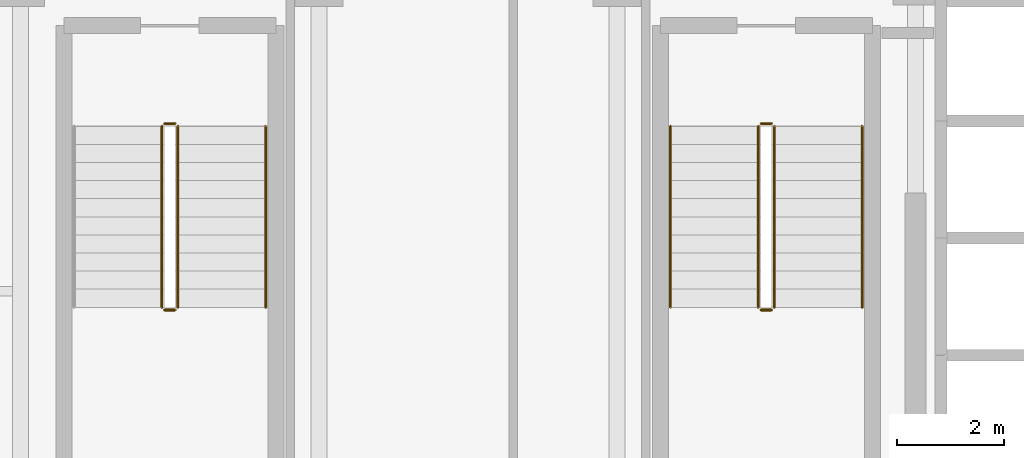
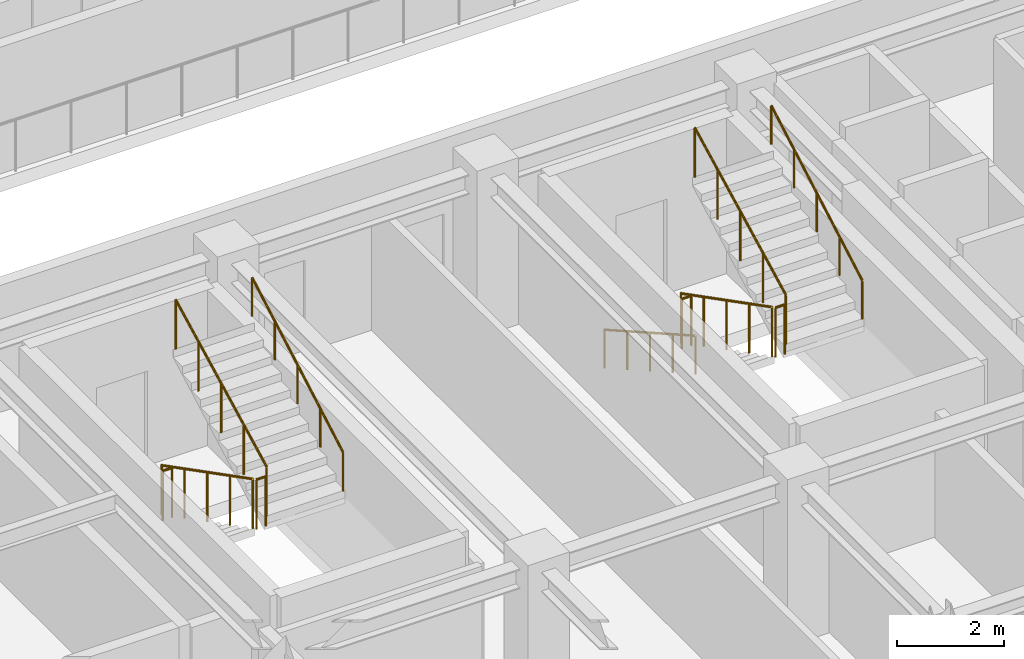
# One storey, part 10 of 14: 11 railings.
"""IFC4 building model written with IfcOpenShell, lengths in metres."""

from ifc_helpers import new_model, si_unit, direction, frame, origin, origin_2d, place, context, subcontext, project, spatial, circle, extrude, material, type_object, element, save


model = new_model("IFC4")

# Units and contexts
model_context = context("Model", 3, precision=1e-05, world=origin(), true_north=direction((0.0, 1.0)))
body_context = subcontext(model_context, "Body", "Model", "MODEL_VIEW")
ifc_project = project(units=[si_unit("LENGTHUNIT", "METRE"), si_unit("AREAUNIT", "SQUARE_METRE"), si_unit("VOLUMEUNIT", "CUBIC_METRE"), si_unit("PLANEANGLEUNIT", "RADIAN"), si_unit("MASSUNIT", "GRAM", prefix="KILO")], contexts=[model_context])

# Site, building, storey
site_placement = place(None, origin())
site = spatial("IfcSite", under=ifc_project, at=site_placement, CompositionType="ELEMENT")
building_placement = place(site_placement, origin())
building = spatial("IfcBuilding", under=site, at=building_placement, Name="Nahalor Promenade Grand Hotel", CompositionType="ELEMENT")
storey_placement = place(building_placement, frame((0.0, 0.0, 296.5)))
storey = spatial("IfcBuildingStorey", under=building, at=storey_placement, Name="L76", CompositionType="ELEMENT", Elevation=296.5)

# Railings
ifc_material = material(Name="Steel S355JR", Category="steel")
railing_type_1 = type_object("IfcRailingType", Name="Steel Stair Guardrail 1150 mm", PredefinedType="GUARDRAIL", material=ifc_material)
railing_1_placement = place(storey_placement, frame((5.449951171875, -8.10009765625, 0.175048828125)))
element("IfcRailing", 1, at=railing_1_placement, inside=storey, type_object=railing_type_1, Name="L76 ST2 stair guard 1", PredefinedType="GUARDRAIL", context=body_context, shape_type="SweptSolid", body=[
    extrude(circle(Radius=0.024048, at=origin_2d()), frame((0.0, 0.0, 1.1259765625), z_axis=(0.0, -0.889130461562, 0.457653823673), x_axis=(1.0, 0.0, 0.0)), (0.0, 0.0, 1.0), 3.82373046875),
    extrude(circle(Radius=0.020996, at=origin_2d()), origin(), (0.0, 0.0, 1.0), 1.099853515625),
    extrude(circle(Radius=0.020996, at=origin_2d()), frame((0.0, -0.85009765625, 0.4375)), (0.0, 0.0, 1.0), 1.099853515625),
    extrude(circle(Radius=0.020996, at=origin_2d()), frame((0.0, -1.699951171875, 0.875)), (0.0, 0.0, 1.0), 1.099853515625),
    extrude(circle(Radius=0.020996, at=origin_2d()), frame((0.0, -2.5498046875, 1.3125)), (0.0, 0.0, 1.0), 1.099853515625),
    extrude(circle(Radius=0.020996, at=origin_2d()), frame((0.0, -3.39990234375, 1.75)), (0.0, 0.0, 1.0), 1.099853515625),
])
railing_2_placement = place(storey_placement, frame((5.5, -11.550048828125, 1.925048828125)))
element("IfcRailing", 2, at=railing_2_placement, inside=storey, type_object=railing_type_1, Name="L76 ST2 stair guard 2", PredefinedType="GUARDRAIL", context=body_context, shape_type="SweptSolid", body=[
    extrude(circle(Radius=0.024048, at=origin_2d()), frame((0.0, 0.0, 1.1259765625), z_axis=(1.0, 0.0, 0.0), x_axis=(0.0, 1.0, 0.0)), (0.0, 0.0, 1.0), 0.199951171875),
    extrude(circle(Radius=0.020996, at=origin_2d()), origin(), (0.0, 0.0, 1.0), 1.099853515625),
    extrude(circle(Radius=0.020996, at=origin_2d()), frame((0.199951171875, 0.0, 0.0)), (0.0, 0.0, 1.0), 1.099853515625),
])
railing_3_placement = place(storey_placement, frame((5.75, -11.5, 2.10009765625)))
element("IfcRailing", 3, at=railing_3_placement, inside=storey, type_object=railing_type_1, Name="L76 ST2 stair guard 3", PredefinedType="GUARDRAIL", context=body_context, shape_type="SweptSolid", body=[
    extrude(circle(Radius=0.024048, at=origin_2d()), frame((0.0, 0.0, 1.1259765625), z_axis=(0.0, 0.889130461562, 0.457653823673), x_axis=(-1.0, 0.0, 0.0)), (0.0, 0.0, 1.0), 3.82373046875),
    extrude(circle(Radius=0.020996, at=origin_2d()), origin(), (0.0, 0.0, 1.0), 1.099853515625),
    extrude(circle(Radius=0.020996, at=origin_2d()), frame((0.0, 0.85009765625, 0.4375)), (0.0, 0.0, 1.0), 1.099853515625),
    extrude(circle(Radius=0.020996, at=origin_2d()), frame((0.0, 1.699951171875, 0.875)), (0.0, 0.0, 1.0), 1.099853515625),
    extrude(circle(Radius=0.020996, at=origin_2d()), frame((0.0, 2.5498046875, 1.3125)), (0.0, 0.0, 1.0), 1.099853515625),
    extrude(circle(Radius=0.020996, at=origin_2d()), frame((0.0, 3.39990234375, 1.75)), (0.0, 0.0, 1.0), 1.099853515625),
])
railing_4_placement = place(storey_placement, frame((5.5, -8.050048828125, 0.0)))
element("IfcRailing", 4, at=railing_4_placement, inside=storey, type_object=railing_type_1, Name="L76 ST2 stair guard 4", PredefinedType="GUARDRAIL", context=body_context, shape_type="SweptSolid", body=[
    extrude(circle(Radius=0.024048, at=origin_2d()), frame((0.0, 0.0, 1.1259765625), z_axis=(1.0, 0.0, 0.0), x_axis=(0.0, 1.0, 0.0)), (0.0, 0.0, 1.0), 0.199951171875),
    extrude(circle(Radius=0.020996, at=origin_2d()), origin(), (0.0, 0.0, 1.0), 1.099853515625),
    extrude(circle(Radius=0.020996, at=origin_2d()), frame((0.199951171875, 0.0, 0.0)), (0.0, 0.0, 1.0), 1.099853515625),
])
railing_5_placement = place(storey_placement, frame((-5.75, -8.10009765625, 0.175048828125)))
element("IfcRailing", 5, at=railing_5_placement, inside=storey, type_object=railing_type_1, Name="L76 ST3 stair guard 1", PredefinedType="GUARDRAIL", context=body_context, shape_type="SweptSolid", body=[
    extrude(circle(Radius=0.024048, at=origin_2d()), frame((0.0, 0.0, 1.1259765625), z_axis=(0.0, -0.889130461562, 0.457653823673), x_axis=(1.0, 0.0, 0.0)), (0.0, 0.0, 1.0), 3.82373046875),
    extrude(circle(Radius=0.020996, at=origin_2d()), origin(), (0.0, 0.0, 1.0), 1.099853515625),
    extrude(circle(Radius=0.020996, at=origin_2d()), frame((0.0, -0.85009765625, 0.4375)), (0.0, 0.0, 1.0), 1.099853515625),
    extrude(circle(Radius=0.020996, at=origin_2d()), frame((0.0, -1.699951171875, 0.875)), (0.0, 0.0, 1.0), 1.099853515625),
    extrude(circle(Radius=0.020996, at=origin_2d()), frame((0.0, -2.5498046875, 1.3125)), (0.0, 0.0, 1.0), 1.099853515625),
    extrude(circle(Radius=0.020996, at=origin_2d()), frame((0.0, -3.39990234375, 1.75)), (0.0, 0.0, 1.0), 1.099853515625),
])
railing_6_placement = place(storey_placement, frame((-5.699951171875, -11.550048828125, 1.925048828125)))
element("IfcRailing", 6, at=railing_6_placement, inside=storey, type_object=railing_type_1, Name="L76 ST3 stair guard 2", PredefinedType="GUARDRAIL", context=body_context, shape_type="SweptSolid", body=[
    extrude(circle(Radius=0.024048, at=origin_2d()), frame((0.0, 0.0, 1.1259765625), z_axis=(1.0, 0.0, 0.0), x_axis=(0.0, 1.0, 0.0)), (0.0, 0.0, 1.0), 0.199951171875),
    extrude(circle(Radius=0.020996, at=origin_2d()), origin(), (0.0, 0.0, 1.0), 1.099853515625),
    extrude(circle(Radius=0.020996, at=origin_2d()), frame((0.199951171875, 0.0, 0.0)), (0.0, 0.0, 1.0), 1.099853515625),
])
railing_7_placement = place(storey_placement, frame((-5.449951171875, -11.5, 2.10009765625)))
element("IfcRailing", 7, at=railing_7_placement, inside=storey, type_object=railing_type_1, Name="L76 ST3 stair guard 3", PredefinedType="GUARDRAIL", context=body_context, shape_type="SweptSolid", body=[
    extrude(circle(Radius=0.024048, at=origin_2d()), frame((0.0, 0.0, 1.1259765625), z_axis=(0.0, 0.889130461562, 0.457653823673), x_axis=(-1.0, 0.0, 0.0)), (0.0, 0.0, 1.0), 3.82373046875),
    extrude(circle(Radius=0.020996, at=origin_2d()), origin(), (0.0, 0.0, 1.0), 1.099853515625),
    extrude(circle(Radius=0.020996, at=origin_2d()), frame((0.0, 0.85009765625, 0.4375)), (0.0, 0.0, 1.0), 1.099853515625),
    extrude(circle(Radius=0.020996, at=origin_2d()), frame((0.0, 1.699951171875, 0.875)), (0.0, 0.0, 1.0), 1.099853515625),
    extrude(circle(Radius=0.020996, at=origin_2d()), frame((0.0, 2.5498046875, 1.3125)), (0.0, 0.0, 1.0), 1.099853515625),
    extrude(circle(Radius=0.020996, at=origin_2d()), frame((0.0, 3.39990234375, 1.75)), (0.0, 0.0, 1.0), 1.099853515625),
])
railing_8_placement = place(storey_placement, frame((-5.699951171875, -8.050048828125, 0.0)))
element("IfcRailing", 8, at=railing_8_placement, inside=storey, type_object=railing_type_1, Name="L76 ST3 stair guard 4", PredefinedType="GUARDRAIL", context=body_context, shape_type="SweptSolid", body=[
    extrude(circle(Radius=0.024048, at=origin_2d()), frame((0.0, 0.0, 1.1259765625), z_axis=(1.0, 0.0, 0.0), x_axis=(0.0, 1.0, 0.0)), (0.0, 0.0, 1.0), 0.199951171875),
    extrude(circle(Radius=0.020996, at=origin_2d()), origin(), (0.0, 0.0, 1.0), 1.099853515625),
    extrude(circle(Radius=0.020996, at=origin_2d()), frame((0.199951171875, 0.0, 0.0)), (0.0, 0.0, 1.0), 1.099853515625),
])
railing_type_2 = type_object("IfcRailingType", Name="Steel Stair Handrail 900 mm", PredefinedType="HANDRAIL", material=ifc_material)
railing_9_placement = place(storey_placement, frame((3.800048828125, -8.10009765625, 0.175048828125)))
element("IfcRailing", 9, at=railing_9_placement, inside=storey, type_object=railing_type_2, Name="L76 ST2 stair handrail 1", PredefinedType="HANDRAIL", context=body_context, shape_type="SweptSolid", body=[
    extrude(circle(Radius=0.024048, at=origin_2d()), frame((0.0, 0.0, 0.8759765625), z_axis=(0.0, -0.870193670192, 0.492709829776), x_axis=(1.0, 0.0, 0.0)), (0.0, 0.0, 1.0), 3.906982421875),
    extrude(circle(Radius=0.020996, at=origin_2d()), origin(), (0.0, 0.0, 1.0), 0.849853515625),
    extrude(circle(Radius=0.020996, at=origin_2d()), frame((0.0, -0.85009765625, 0.481201171875)), (0.0, 0.0, 1.0), 0.849853515625),
    extrude(circle(Radius=0.020996, at=origin_2d()), frame((0.0, -1.699951171875, 0.96240234375)), (0.0, 0.0, 1.0), 0.849853515625),
    extrude(circle(Radius=0.020996, at=origin_2d()), frame((0.0, -2.5498046875, 1.44384765625)), (0.0, 0.0, 1.0), 0.849853515625),
    extrude(circle(Radius=0.020996, at=origin_2d()), frame((0.0, -3.39990234375, 1.925048828125)), (0.0, 0.0, 1.0), 0.849853515625),
])
for number, where, name in (
    (10, (7.39990234375, -11.5, 2.10009765625), "L76 ST2 stair handrail 2"),
    (11, (-3.800048828125, -11.5, 2.10009765625), "L76 ST3 stair handrail 2"),
):
    element("IfcRailing", number, at=place(storey_placement, frame(where)), inside=storey, type_object=railing_type_2, Name=name, PredefinedType="HANDRAIL", context=body_context, shape_type="SweptSolid", body=[
        extrude(circle(Radius=0.024048, at=origin_2d()), frame((0.0, 0.0, 0.8759765625), z_axis=(0.0, 0.870220461208, 0.492662510137), x_axis=(-1.0, 0.0, 0.0)), (0.0, 0.0, 1.0), 3.906982421875),
        extrude(circle(Radius=0.020996, at=origin_2d()), origin(), (0.0, 0.0, 1.0), 0.849853515625),
        extrude(circle(Radius=0.020996, at=origin_2d()), frame((0.0, 0.85009765625, 0.481201171875)), (0.0, 0.0, 1.0), 0.849853515625),
        extrude(circle(Radius=0.020996, at=origin_2d()), frame((0.0, 1.699951171875, 0.96240234375)), (0.0, 0.0, 1.0), 0.849853515625),
        extrude(circle(Radius=0.020996, at=origin_2d()), frame((0.0, 2.5498046875, 1.443603515625)), (0.0, 0.0, 1.0), 0.849853515625),
        extrude(circle(Radius=0.020996, at=origin_2d()), frame((0.0, 3.39990234375, 1.9248046875)), (0.0, 0.0, 1.0), 0.849853515625),
    ])

save(model, "model.ifc")
